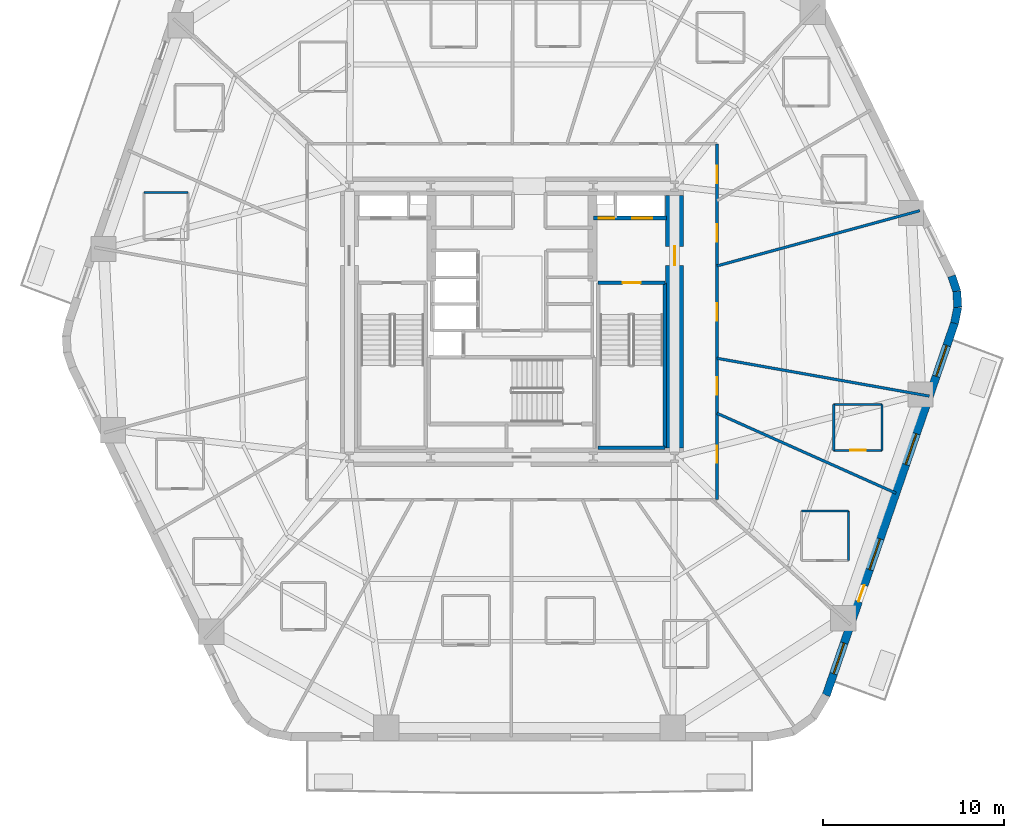
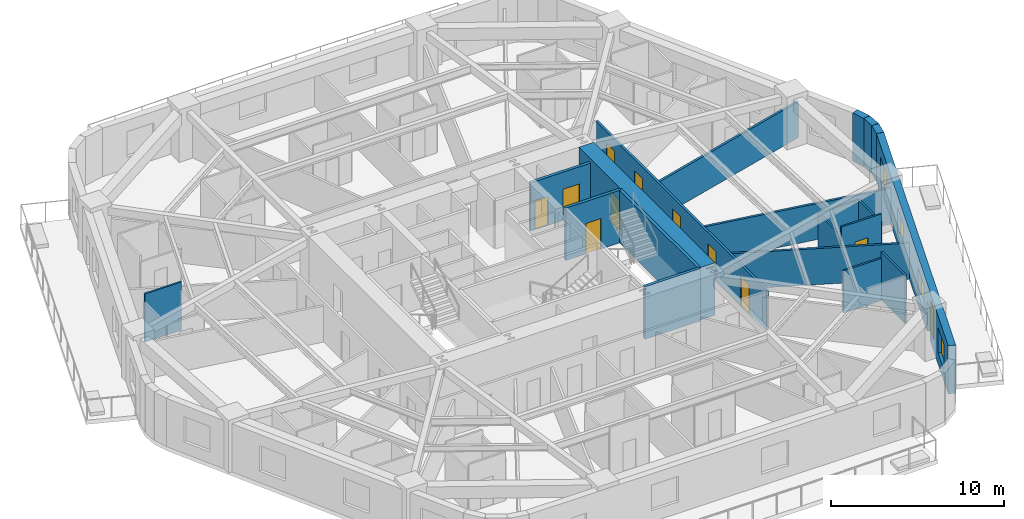
# One storey, part 5 of 11: 20 walls, 11 doors, 4 windows, 15 openings.
"""IFC4 building model written with IfcOpenShell, lengths in metres."""

from ifc_helpers import new_model, si_unit, direction, frame, frame_2d, origin, place, context, subcontext, project, spatial, rectangle, extrude, material, layer, layer_set, type_object, element, fill, save


model = new_model("IFC4")

# Units and contexts
model_context = context("Model", 3, precision=1e-05, world=origin(), true_north=direction((0.0, 1.0)))
body_context = subcontext(model_context, "Body", "Model", "MODEL_VIEW")
ifc_project = project(units=[si_unit("LENGTHUNIT", "METRE"), si_unit("AREAUNIT", "SQUARE_METRE"), si_unit("VOLUMEUNIT", "CUBIC_METRE"), si_unit("PLANEANGLEUNIT", "RADIAN"), si_unit("MASSUNIT", "GRAM", prefix="KILO")], contexts=[model_context])

# Site, building, storey
site_placement = place(None, origin())
site = spatial("IfcSite", under=ifc_project, at=site_placement, CompositionType="ELEMENT")
building_placement = place(site_placement, origin())
building = spatial("IfcBuilding", under=site, at=building_placement, Name="Kilnhurst Terrace Hotel", CompositionType="ELEMENT")
storey_placement = place(building_placement, frame((0.0, 0.0, 37.89990234375)))
storey = spatial("IfcBuildingStorey", under=building, at=storey_placement, Name="L07", CompositionType="ELEMENT", Elevation=37.89990234375)

# Walls
ifc_material_1 = material(Name="Precast concrete C40/50", Category="concrete")
ifc_layer_1 = layer(ifc_material_1, 0.449951171875, Name="Precast concrete C40/50")
ifc_layer_set_1 = layer_set([ifc_layer_1], Name="Precast concrete C40/50")
wall_type_1 = type_object("IfcWallType", Name="WL-BRK-450", PredefinedType="SOLIDWALL", material=ifc_layer_set_1)
wall_1_placement = place(storey_placement, frame((24.49560546875, -0.07666015625, 0.0), z_axis=(0.0, 0.0, 1.0), x_axis=(0.199570594521, 0.979883451132, 0.0)))
element("IfcWall", 1, at=wall_1_placement, inside=storey, type_object=wall_type_1, Name="L07 Rounded Corner Brick Wall C3.1", PredefinedType="SOLIDWALL", context=body_context, shape_type="SweptSolid", body=[
    extrude(rectangle(XDim=0.896728515625, YDim=0.449951171875, at=frame_2d((0.4482421875, 0.0))), origin(), (0.0, 0.0, 1.0), 3.400146484375),
])
wall_2_placement = place(storey_placement, frame((24.674560546875, 0.802001953125, 0.0), z_axis=(0.0, 0.0, 1.0), x_axis=(-0.061188874166, 0.998126205286, 0.0)))
element("IfcWall", 2, at=wall_2_placement, inside=storey, type_object=wall_type_1, Name="L07 Rounded Corner Brick Wall C3.2", PredefinedType="SOLIDWALL", context=body_context, shape_type="SweptSolid", body=[
    extrude(rectangle(XDim=0.8818359375, YDim=0.449951171875, at=frame_2d((0.44091796875, 0.0))), origin(), (0.0, 0.0, 1.0), 3.400146484375),
])
wall_3_placement = place(storey_placement, frame((24.62060546875, 1.68212890625, 0.0), z_axis=(0.0, 0.0, 1.0), x_axis=(-0.317697451681, 0.948192137278, 0.0)))
element("IfcWall", 3, at=wall_3_placement, inside=storey, type_object=wall_type_1, Name="L07 Rounded Corner Brick Wall C3.3", PredefinedType="SOLIDWALL", context=body_context, shape_type="SweptSolid", body=[
    extrude(rectangle(XDim=0.896728515625, YDim=0.449951171875, at=frame_2d((0.4482421875, 0.0))), origin(), (0.0, 0.0, 1.0), 3.400146484375),
])

# Wall, openings, door, windows
wall_4_placement = place(storey_placement, frame((17.3896484375, -20.678466796875, 0.0), z_axis=(0.0, 0.0, 1.0), x_axis=(0.326068018294, 0.945346310854, 0.0)))
wall_4 = element("IfcWall", 4, at=wall_4_placement, inside=storey, type_object=wall_type_1, Name="L07 Exterior Brick Facade Wall F2", PredefinedType="SOLIDWALL", context=body_context, shape_type="SweptSolid", body=[
    extrude(rectangle(XDim=21.79296875, YDim=0.449951171875, at=frame_2d((10.896484375, 0.0))), origin(), (0.0, 0.0, 1.0), 3.400146484375),
])
opening_1_placement = place(wall_4_placement, frame((5.492919921875, 0.0, 0.0)))
opening_1 = element("IfcOpeningElement", 5, at=opening_1_placement, cuts=wall_4, Name="Opening BD-950", PredefinedType="OPENING", context=body_context, shape_type="SweptSolid", body=[
    extrude(rectangle(XDim=0.949951171875, YDim=2.14990234375, at=frame_2d((0.47509765625, 1.074951171875))), frame((0.0, 0.23486328125, 0.0), z_axis=(0.0, -1.0, 0.0), x_axis=(1.0, 0.0, 0.0)), (0.0, 0.0, 1.0), 0.469970703125),
])
opening_2_placement = place(wall_4_placement, frame((1.260009765625, 0.0, 0.800048828125)))
opening_2 = element("IfcOpeningElement", 6, at=opening_2_placement, cuts=wall_4, Name="Opening W-01", PredefinedType="OPENING", context=body_context, shape_type="SweptSolid", body=[
    extrude(rectangle(XDim=1.800048828125, YDim=1.800048828125, at=frame_2d((0.89990234375, 0.89990234375))), frame((0.0, 0.23486328125, 0.0), z_axis=(0.0, -1.0, 0.0), x_axis=(1.0, 0.0, 0.0)), (0.0, 0.0, 1.0), 0.469970703125),
])
opening_3_placement = place(wall_4_placement, frame((7.363037109375, 0.0, 0.800048828125)))
opening_3 = element("IfcOpeningElement", 7, at=opening_3_placement, cuts=wall_4, Name="Opening W-01", PredefinedType="OPENING", context=body_context, shape_type="SweptSolid", body=[
    extrude(rectangle(XDim=1.800048828125, YDim=1.800048828125, at=frame_2d((0.89990234375, 0.89990234375))), frame((0.0, 0.23486328125, 0.0), z_axis=(0.0, -1.0, 0.0), x_axis=(1.0, 0.0, 0.0)), (0.0, 0.0, 1.0), 0.469970703125),
])
opening_4_placement = place(wall_4_placement, frame((13.51806640625, 0.0, 0.800048828125)))
opening_4 = element("IfcOpeningElement", 8, at=opening_4_placement, cuts=wall_4, Name="Opening W-01", PredefinedType="OPENING", context=body_context, shape_type="SweptSolid", body=[
    extrude(rectangle(XDim=1.800048828125, YDim=1.800048828125, at=frame_2d((0.89990234375, 0.89990234375))), frame((0.0, 0.23486328125, 0.0), z_axis=(0.0, -1.0, 0.0), x_axis=(1.0, 0.0, 0.0)), (0.0, 0.0, 1.0), 0.469970703125),
])
opening_5_placement = place(wall_4_placement, frame((18.679931640625, 0.0, 0.800048828125)))
opening_5 = element("IfcOpeningElement", 9, at=opening_5_placement, cuts=wall_4, Name="Opening W-01", PredefinedType="OPENING", context=body_context, shape_type="SweptSolid", body=[
    extrude(rectangle(XDim=1.800048828125, YDim=1.800048828125, at=frame_2d((0.89990234375, 0.89990234375))), frame((0.0, 0.23486328125, 0.0), z_axis=(0.0, -1.0, 0.0), x_axis=(1.0, 0.0, 0.0)), (0.0, 0.0, 1.0), 0.469970703125),
])
ifc_material_2 = material(Name="Thermally Broken Bronze Aluminium Alloy 6063-T6 and Laminated Glass", Category="aluminium")
door_type_1 = type_object("IfcDoorType", Name="DR-EXT-BAL-950", OperationType="NOTDEFINED", PredefinedType="DOOR", material=ifc_material_2)
door_1_placement = place(opening_1_placement, origin())
door_1 = element("IfcDoor", 10, at=door_1_placement, inside=storey, type_object=door_type_1, Name="L07 Planted Balcony Door BAL-L1B", OperationType="SINGLE_SWING_RIGHT", OverallHeight=2.14990234375, OverallWidth=0.949951171875, PredefinedType="DOOR", context=body_context, shape_type="SweptSolid", body=[
    extrude(rectangle(XDim=0.949951171875, YDim=2.14990234375, at=frame_2d((0.47509765625, 1.074951171875))), frame((0.0, 0.02490234375, 0.0), z_axis=(0.0, -1.0, 0.0), x_axis=(1.0, 0.0, 0.0)), (0.0, 0.0, 1.0), 0.050048828125),
])
fill(opening_1, door_1)
ifc_material_3 = material(Name="Thermally Broken Bronze Aluminium Alloy 6063-T6 and Low-E Glass", Category="aluminium")
window_type = type_object("IfcWindowType", Name="WIN-1800X1800", PartitioningType="SINGLE_PANEL", PredefinedType="WINDOW", material=ifc_material_3)
window_1_placement = place(opening_2_placement, origin())
window_1 = element("IfcWindow", 11, at=window_1_placement, inside=storey, type_object=window_type, Name="L07 Deep-Set Masonry Window F2.1", OverallHeight=1.800048828125, OverallWidth=1.800048828125, PartitioningType="SINGLE_PANEL", PredefinedType="WINDOW", context=body_context, shape_type="SweptSolid", body=[
    extrude(rectangle(XDim=1.800048828125, YDim=1.800048828125, at=frame_2d((0.89990234375, 0.89990234375))), frame((0.0, 0.030029296875, 0.0), z_axis=(0.0, -1.0, 0.0), x_axis=(1.0, 0.0, 0.0)), (0.0, 0.0, 1.0), 0.06005859375),
])
fill(opening_2, window_1)
window_2_placement = place(opening_3_placement, origin())
window_2 = element("IfcWindow", 12, at=window_2_placement, inside=storey, type_object=window_type, Name="L07 Deep-Set Masonry Window F2.2", OverallHeight=1.800048828125, OverallWidth=1.800048828125, PartitioningType="SINGLE_PANEL", PredefinedType="WINDOW", context=body_context, shape_type="SweptSolid", body=[
    extrude(rectangle(XDim=1.800048828125, YDim=1.800048828125, at=frame_2d((0.89990234375, 0.89990234375))), frame((0.0, 0.030029296875, 0.0), z_axis=(0.0, -1.0, 0.0), x_axis=(1.0, 0.0, 0.0)), (0.0, 0.0, 1.0), 0.06005859375),
])
fill(opening_3, window_2)
window_3_placement = place(opening_4_placement, origin())
window_3 = element("IfcWindow", 13, at=window_3_placement, inside=storey, type_object=window_type, Name="L07 Deep-Set Masonry Window F2.3", OverallHeight=1.800048828125, OverallWidth=1.800048828125, PartitioningType="SINGLE_PANEL", PredefinedType="WINDOW", context=body_context, shape_type="SweptSolid", body=[
    extrude(rectangle(XDim=1.800048828125, YDim=1.800048828125, at=frame_2d((0.89990234375, 0.89990234375))), frame((0.0, 0.030029296875, 0.0), z_axis=(0.0, -1.0, 0.0), x_axis=(1.0, 0.0, 0.0)), (0.0, 0.0, 1.0), 0.06005859375),
])
fill(opening_4, window_3)
window_4_placement = place(opening_5_placement, origin())
window_4 = element("IfcWindow", 14, at=window_4_placement, inside=storey, type_object=window_type, Name="L07 Deep-Set Masonry Window F2.4", OverallHeight=1.800048828125, OverallWidth=1.800048828125, PartitioningType="SINGLE_PANEL", PredefinedType="WINDOW", context=body_context, shape_type="SweptSolid", body=[
    extrude(rectangle(XDim=1.800048828125, YDim=1.800048828125, at=frame_2d((0.89990234375, 0.89990234375))), frame((0.0, 0.030029296875, 0.0), z_axis=(0.0, -1.0, 0.0), x_axis=(1.0, 0.0, 0.0)), (0.0, 0.0, 1.0), 0.06005859375),
])
fill(opening_5, window_4)

# Wall, openings, doors
ifc_material_4 = material(Name="Acoustic Double-Gypsum Corridor Partition Assembly")
ifc_layer_2 = layer(ifc_material_4, 0.14990234375, Name="Acoustic Double-Gypsum Corridor Partition Assembly")
ifc_layer_set_2 = layer_set([ifc_layer_2], Name="Acoustic Double-Gypsum Corridor Partition Assembly")
wall_type_2 = type_object("IfcWallType", Name="WL-COR-150", PredefinedType="PARTITIONING", material=ifc_layer_set_2)
wall_5_placement = place(storey_placement, frame((11.35009765625, 9.85009765625, 0.0), z_axis=(0.0, 0.0, 1.0), x_axis=(0.0, -1.0, 0.0)))
wall_5 = element("IfcWall", 15, at=wall_5_placement, inside=storey, type_object=wall_type_2, Name="L07 Interior Wall WL-L07-COR-03", PredefinedType="PARTITIONING", context=body_context, shape_type="SweptSolid", body=[
    extrude(rectangle(XDim=19.7001953125, YDim=0.14990234375, at=frame_2d((9.85009765625, 0.0))), origin(), (0.0, 0.0, 1.0), 2.840087890625),
])
opening_6_placement = place(wall_5_placement, frame((4.4609375, 0.0, 0.0)))
opening_6 = element("IfcOpeningElement", 16, at=opening_6_placement, cuts=wall_5, Name="Opening D-60B", PredefinedType="OPENING", context=body_context, shape_type="SweptSolid", body=[
    extrude(rectangle(XDim=0.949951171875, YDim=2.030029296875, at=frame_2d((0.47509765625, 1.01513671875))), frame((0.0, 0.0849609375, 0.0), z_axis=(0.0, -1.0, 0.0), x_axis=(1.0, 0.0, 0.0)), (0.0, 0.0, 1.0), 0.169921875),
])
opening_7_placement = place(wall_5_placement, frame((1.220947265625, 0.0, 0.0)))
opening_7 = element("IfcOpeningElement", 17, at=opening_7_placement, cuts=wall_5, Name="Opening D-60B", PredefinedType="OPENING", context=body_context, shape_type="SweptSolid", body=[
    extrude(rectangle(XDim=0.949951171875, YDim=2.030029296875, at=frame_2d((0.47509765625, 1.01513671875))), frame((0.0, 0.0849609375, 0.0), z_axis=(0.0, -1.0, 0.0), x_axis=(1.0, 0.0, 0.0)), (0.0, 0.0, 1.0), 0.169921875),
])
opening_8_placement = place(wall_5_placement, frame((16.714111328125, 0.0, 0.0)))
opening_8 = element("IfcOpeningElement", 18, at=opening_8_placement, cuts=wall_5, Name="Opening D-60B", PredefinedType="OPENING", context=body_context, shape_type="SweptSolid", body=[
    extrude(rectangle(XDim=0.949951171875, YDim=2.030029296875, at=frame_2d((0.47509765625, 1.01513671875))), frame((0.0, 0.0849609375, 0.0), z_axis=(0.0, -1.0, 0.0), x_axis=(1.0, 0.0, 0.0)), (0.0, 0.0, 1.0), 0.169921875),
])
opening_9_placement = place(wall_5_placement, frame((12.931884765625, 0.0, 0.0)))
opening_9 = element("IfcOpeningElement", 19, at=opening_9_placement, cuts=wall_5, Name="Opening D-60B", PredefinedType="OPENING", context=body_context, shape_type="SweptSolid", body=[
    extrude(rectangle(XDim=0.949951171875, YDim=2.030029296875, at=frame_2d((0.47509765625, 1.01513671875))), frame((0.0, 0.0849609375, 0.0), z_axis=(0.0, -1.0, 0.0), x_axis=(1.0, 0.0, 0.0)), (0.0, 0.0, 1.0), 0.169921875),
])
opening_10_placement = place(wall_5_placement, frame((8.837890625, 0.0, 0.0)))
opening_10 = element("IfcOpeningElement", 20, at=opening_10_placement, cuts=wall_5, Name="Opening D-60B", PredefinedType="OPENING", context=body_context, shape_type="SweptSolid", body=[
    extrude(rectangle(XDim=0.949951171875, YDim=2.030029296875, at=frame_2d((0.47509765625, 1.01513671875))), frame((0.0, 0.0849609375, 0.0), z_axis=(0.0, -1.0, 0.0), x_axis=(1.0, 0.0, 0.0)), (0.0, 0.0, 1.0), 0.169921875),
])
ifc_material_5 = material(Name="Acoustic Walnut Veneer Solid-Core Fire Door")
door_type_2 = type_object("IfcDoorType", Name="DR-FD60-950", OperationType="NOTDEFINED", PredefinedType="DOOR", material=ifc_material_5)
door_2_placement = place(opening_6_placement, origin())
door_2 = element("IfcDoor", 21, at=door_2_placement, inside=storey, type_object=door_type_2, Name="L07 Guest Room Entry Door 1", OperationType="SINGLE_SWING_LEFT", OverallHeight=2.030029296875, OverallWidth=0.949951171875, PredefinedType="DOOR", context=body_context, shape_type="SweptSolid", body=[
    extrude(rectangle(XDim=0.949951171875, YDim=2.030029296875, at=frame_2d((0.47509765625, 1.01513671875))), frame((0.0, 0.02490234375, 0.0), z_axis=(0.0, -1.0, 0.0), x_axis=(1.0, 0.0, 0.0)), (0.0, 0.0, 1.0), 0.050048828125),
])
fill(opening_6, door_2)
door_3_placement = place(opening_7_placement, origin())
door_3 = element("IfcDoor", 22, at=door_3_placement, inside=storey, type_object=door_type_2, Name="L07 Guest Room Entry Door 2", OperationType="SINGLE_SWING_RIGHT", OverallHeight=2.030029296875, OverallWidth=0.949951171875, PredefinedType="DOOR", context=body_context, shape_type="SweptSolid", body=[
    extrude(rectangle(XDim=0.949951171875, YDim=2.030029296875, at=frame_2d((0.47509765625, 1.01513671875))), frame((0.0, 0.02490234375, 0.0), z_axis=(0.0, -1.0, 0.0), x_axis=(1.0, 0.0, 0.0)), (0.0, 0.0, 1.0), 0.050048828125),
])
fill(opening_7, door_3)
door_4_placement = place(opening_8_placement, origin())
door_4 = element("IfcDoor", 23, at=door_4_placement, inside=storey, type_object=door_type_2, Name="L07 Guest Room Entry Door 19", OperationType="SINGLE_SWING_LEFT", OverallHeight=2.030029296875, OverallWidth=0.949951171875, PredefinedType="DOOR", context=body_context, shape_type="SweptSolid", body=[
    extrude(rectangle(XDim=0.949951171875, YDim=2.030029296875, at=frame_2d((0.47509765625, 1.01513671875))), frame((0.0, 0.02490234375, 0.0), z_axis=(0.0, -1.0, 0.0), x_axis=(1.0, 0.0, 0.0)), (0.0, 0.0, 1.0), 0.050048828125),
])
fill(opening_8, door_4)
door_5_placement = place(opening_9_placement, origin())
door_5 = element("IfcDoor", 24, at=door_5_placement, inside=storey, type_object=door_type_2, Name="L07 Guest Room Entry Door 20", OperationType="SINGLE_SWING_RIGHT", OverallHeight=2.030029296875, OverallWidth=0.949951171875, PredefinedType="DOOR", context=body_context, shape_type="SweptSolid", body=[
    extrude(rectangle(XDim=0.949951171875, YDim=2.030029296875, at=frame_2d((0.47509765625, 1.01513671875))), frame((0.0, 0.02490234375, 0.0), z_axis=(0.0, -1.0, 0.0), x_axis=(1.0, 0.0, 0.0)), (0.0, 0.0, 1.0), 0.050048828125),
])
fill(opening_9, door_5)
door_6_placement = place(opening_10_placement, origin())
door_6 = element("IfcDoor", 25, at=door_6_placement, inside=storey, type_object=door_type_2, Name="L07 Business Study Door", OperationType="SINGLE_SWING_LEFT", OverallHeight=2.030029296875, OverallWidth=0.949951171875, PredefinedType="DOOR", context=body_context, shape_type="SweptSolid", body=[
    extrude(rectangle(XDim=0.949951171875, YDim=2.030029296875, at=frame_2d((0.47509765625, 1.01513671875))), frame((0.0, 0.02490234375, 0.0), z_axis=(0.0, -1.0, 0.0), x_axis=(1.0, 0.0, 0.0)), (0.0, 0.0, 1.0), 0.050048828125),
])
fill(opening_10, door_6)

# Wall, opening, door
ifc_material_6 = material(Name="Concrete C80/95", Category="concrete")
ifc_layer_3 = layer(ifc_material_6, 1.0, Name="Concrete C80/95")
ifc_layer_set_3 = layer_set([ifc_layer_3], Name="Concrete C80/95")
wall_type_3 = type_object("IfcWallType", Name="WL-CORE-1000", PredefinedType="SHEAR", material=ifc_layer_set_3)
wall_6_placement = place(storey_placement, frame((9.0, -7.0, 0.0), z_axis=(0.0, 0.0, 1.0), x_axis=(0.0, 1.0, 0.0)))
wall_6 = element("IfcWall", 26, at=wall_6_placement, inside=storey, type_object=wall_type_3, Name="L07 Core East Shear Wall", PredefinedType="SHEAR", context=body_context, shape_type="SweptSolid", body=[
    extrude(rectangle(XDim=14.0, YDim=1.0, at=frame_2d((7.0, 0.0))), origin(), (0.0, 0.0, 1.0), 3.7001953125),
])
opening_11_placement = place(wall_6_placement, frame((10.125, 0.0, 0.0)))
opening_11 = element("IfcOpeningElement", 27, at=opening_11_placement, cuts=wall_6, Name="Opening D-90A", PredefinedType="OPENING", context=body_context, shape_type="SweptSolid", body=[
    extrude(rectangle(XDim=1.050048828125, YDim=2.14990234375, at=frame_2d((0.52490234375, 1.074951171875))), frame((0.0, 0.510009765625, 0.0), z_axis=(0.0, -1.0, 0.0), x_axis=(1.0, 0.0, 0.0)), (0.0, 0.0, 1.0), 1.02001953125),
])
ifc_material_7 = material(Name="Painted Hollow Metal Steel ASTM A36 Fire Door", Category="steel")
door_type_3 = type_object("IfcDoorType", Name="DR-FD90-1050", OperationType="NOTDEFINED", PredefinedType="DOOR", material=ifc_material_7)
door_7_placement = place(opening_11_placement, origin())
door_7 = element("IfcDoor", 28, at=door_7_placement, inside=storey, type_object=door_type_3, Name="L07 East Firefighting Lobby Door", OperationType="SINGLE_SWING_LEFT", OverallHeight=2.14990234375, OverallWidth=1.050048828125, PredefinedType="DOOR", context=body_context, shape_type="SweptSolid", body=[
    extrude(rectangle(XDim=1.050048828125, YDim=2.14990234375, at=frame_2d((0.52490234375, 1.074951171875))), frame((0.0, 0.02490234375, 0.0), z_axis=(0.0, -1.0, 0.0), x_axis=(1.0, 0.0, 0.0)), (0.0, 0.0, 1.0), 0.050048828125),
])
fill(opening_11, door_7)

# Walls
ifc_material_8 = material(Name="STC-58 Acoustic Twin-Frame Guestroom Demising Partition")
ifc_layer_4 = layer(ifc_material_8, 0.14990234375, Name="STC-58 Acoustic Twin-Frame Guestroom Demising Partition")
ifc_layer_set_4 = layer_set([ifc_layer_4], Name="STC-58 Acoustic Twin-Frame Guestroom Demising Partition")
wall_type_4 = type_object("IfcWallType", Name="WL-DEM-150", PredefinedType="PARTITIONING", material=ifc_layer_set_4)
wall_7_placement = place(storey_placement, frame((11.35009765625, 3.0908203125, 0.0), z_axis=(0.0, 0.0, 1.0), x_axis=(0.964859685283, 0.262765651704, 0.0)))
element("IfcWall", 29, at=wall_7_placement, inside=storey, type_object=wall_type_4, Name="L07 Interior Wall WL-L07-DEM-COL01-01-1", PredefinedType="PARTITIONING", context=body_context, shape_type="SweptSolid", body=[
    extrude(rectangle(XDim=11.62890625, YDim=0.14990234375, at=frame_2d((5.814453125, 0.0))), origin(), (0.0, 0.0, 1.0), 2.5400390625),
])
wall_8_placement = place(storey_placement, frame((11.35009765625, -5.068115234375, 0.0), z_axis=(0.0, 0.0, 1.0), x_axis=(0.913107192911, -0.407719577963, 0.0)))
element("IfcWall", 30, at=wall_8_placement, inside=storey, type_object=wall_type_4, Name="L07 Interior Wall WL-L07-DEM-MID11-20-1", PredefinedType="PARTITIONING", context=body_context, shape_type="SweptSolid", body=[
    extrude(rectangle(XDim=10.84130859375, YDim=0.14990234375, at=frame_2d((5.420654296875, 0.0))), origin(), (0.0, 0.0, 1.0), 2.5400390625),
])
wall_9_placement = place(storey_placement, frame((11.35009765625, -2.022705078125, 0.0), z_axis=(0.0, 0.0, 1.0), x_axis=(0.984493741877, -0.17541970301, 0.0)))
element("IfcWall", 31, at=wall_9_placement, inside=storey, type_object=wall_type_4, Name="L07 Interior Wall WL-L07-DEM-COL12-21-1", PredefinedType="PARTITIONING", context=body_context, shape_type="SweptSolid", body=[
    extrude(rectangle(XDim=11.93701171875, YDim=0.14990234375, at=frame_2d((5.968505859375, 0.0))), origin(), (0.0, 0.0, 1.0), 2.5400390625),
])
ifc_material_9 = material(Name="120 mm Moisture-Resistant Tile-Backed Bathroom Partition")
ifc_layer_5 = layer(ifc_material_9, 0.1201171875, Name="120 mm Moisture-Resistant Tile-Backed Bathroom Partition")
ifc_layer_set_5 = layer_set([ifc_layer_5], Name="120 mm Moisture-Resistant Tile-Backed Bathroom Partition")
wall_type_5 = type_object("IfcWallType", Name="WL-PART-120", PredefinedType="PARTITIONING", material=ifc_layer_set_5)
wall_10_placement = place(storey_placement, frame((-17.928955078125, 7.154052734375, 0.0), z_axis=(0.0, 0.0, 1.0), x_axis=(-1.0, 0.0, 0.0)))
element("IfcWall", 32, at=wall_10_placement, inside=storey, type_object=wall_type_5, Name="L07 Interior Wall WL-L07-BTH-09-3", PredefinedType="PARTITIONING", context=body_context, shape_type="SweptSolid", body=[
    extrude(rectangle(XDim=2.43994140625, YDim=0.1201171875, at=frame_2d((1.219970703125, 0.0))), origin(), (0.0, 0.0, 1.0), 3.400146484375),
])
wall_11_placement = place(storey_placement, frame((18.618896484375, -13.218994140625, 0.0), z_axis=(0.0, 0.0, 1.0), x_axis=(0.0, 1.0, 0.0)))
element("IfcWall", 33, at=wall_11_placement, inside=storey, type_object=wall_type_5, Name="L07 Interior Wall WL-L07-BTH-19-2", PredefinedType="PARTITIONING", context=body_context, shape_type="SweptSolid", body=[
    extrude(rectangle(XDim=2.75, YDim=0.1201171875, at=frame_2d((1.375, 0.0))), origin(), (0.0, 0.0, 1.0), 3.400146484375),
])
wall_12_placement = place(storey_placement, frame((18.618896484375, -10.468994140625, 0.0), z_axis=(0.0, 0.0, 1.0), x_axis=(-1.0, 0.0, 0.0)))
element("IfcWall", 34, at=wall_12_placement, inside=storey, type_object=wall_type_5, Name="L07 Interior Wall WL-L07-BTH-19-3", PredefinedType="PARTITIONING", context=body_context, shape_type="SweptSolid", body=[
    extrude(rectangle(XDim=2.599853515625, YDim=0.1201171875, at=frame_2d((1.2998046875, 0.0))), origin(), (0.0, 0.0, 1.0), 2.972412109375),
])

# Wall, opening, door
wall_13_placement = place(storey_placement, frame((17.80908203125, -7.118896484375, 0.0), z_axis=(0.0, 0.0, 1.0), x_axis=(1.0, 0.0, 0.0)))
wall_13 = element("IfcWall", 35, at=wall_13_placement, inside=storey, type_object=wall_type_5, Name="L07 Interior Wall WL-L07-BTH-20-1", PredefinedType="PARTITIONING", context=body_context, shape_type="SweptSolid", body=[
    extrude(rectangle(XDim=2.679931640625, YDim=0.1201171875, at=frame_2d((1.33984375, 0.0))), origin(), (0.0, 0.0, 1.0), 3.400146484375),
])
opening_12_placement = place(wall_13_placement, frame((0.9150390625, 0.0, 0.0)))
opening_12 = element("IfcOpeningElement", 36, at=opening_12_placement, cuts=wall_13, Name="Opening D-08A", PredefinedType="OPENING", context=body_context, shape_type="SweptSolid", body=[
    extrude(rectangle(XDim=0.85009765625, YDim=2.030029296875, at=frame_2d((0.425048828125, 1.01513671875))), frame((0.0, 0.070068359375, 0.0), z_axis=(0.0, -1.0, 0.0), x_axis=(1.0, 0.0, 0.0)), (0.0, 0.0, 1.0), 0.14013671875),
])
ifc_material_10 = material(Name="Moisture-Resistant Lacquered En-suite Bathroom Door")
door_type_4 = type_object("IfcDoorType", Name="DR-INT-850", OperationType="NOTDEFINED", PredefinedType="DOOR", material=ifc_material_10)
door_8_placement = place(opening_12_placement, origin())
door_8 = element("IfcDoor", 37, at=door_8_placement, inside=storey, type_object=door_type_4, Name="L07 En-suite Bathroom Door 20", OperationType="SINGLE_SWING_LEFT", OverallHeight=2.030029296875, OverallWidth=0.85009765625, PredefinedType="DOOR", context=body_context, shape_type="SweptSolid", body=[
    extrude(rectangle(XDim=0.85009765625, YDim=2.030029296875, at=frame_2d((0.425048828125, 1.01513671875))), frame((0.0, 0.02490234375, 0.0), z_axis=(0.0, -1.0, 0.0), x_axis=(1.0, 0.0, 0.0)), (0.0, 0.0, 1.0), 0.050048828125),
])
fill(opening_12, door_8)

# Walls
wall_14_placement = place(storey_placement, frame((20.489013671875, -7.118896484375, 0.0), z_axis=(0.0, 0.0, 1.0), x_axis=(0.0, 1.0, 0.0)))
element("IfcWall", 38, at=wall_14_placement, inside=storey, type_object=wall_type_5, Name="L07 Interior Wall WL-L07-BTH-20-2", PredefinedType="PARTITIONING", context=body_context, shape_type="SweptSolid", body=[
    extrude(rectangle(XDim=2.539794921875, YDim=0.1201171875, at=frame_2d((1.27001953125, 0.0))), origin(), (0.0, 0.0, 1.0), 2.840087890625),
])
wall_15_placement = place(storey_placement, frame((20.489013671875, -4.5791015625, 0.0), z_axis=(0.0, 0.0, 1.0), x_axis=(-1.0, 0.0, 0.0)))
element("IfcWall", 39, at=wall_15_placement, inside=storey, type_object=wall_type_5, Name="L07 Interior Wall WL-L07-BTH-20-3", PredefinedType="PARTITIONING", context=body_context, shape_type="SweptSolid", body=[
    extrude(rectangle(XDim=2.679931640625, YDim=0.1201171875, at=frame_2d((1.33984375, 0.0))), origin(), (0.0, 0.0, 1.0), 2.840087890625),
])
wall_16_placement = place(storey_placement, frame((17.80908203125, -4.5791015625, 0.0), z_axis=(0.0, 0.0, 1.0), x_axis=(0.0, -1.0, 0.0)))
element("IfcWall", 40, at=wall_16_placement, inside=storey, type_object=wall_type_5, Name="L07 Interior Wall WL-L07-BTH-20-4", PredefinedType="PARTITIONING", context=body_context, shape_type="SweptSolid", body=[
    extrude(rectangle(XDim=2.539794921875, YDim=0.1201171875, at=frame_2d((1.27001953125, 0.0))), origin(), (0.0, 0.0, 1.0), 2.840087890625),
])

# Wall, openings, doors
ifc_material_11 = material(Name="Autoclaved Aerated Concrete C30/37 and Gypsum Shaft Assembly", Category="concrete")
ifc_layer_6 = layer(ifc_material_11, 0.199951171875, Name="Autoclaved Aerated Concrete C30/37 and Gypsum Shaft Assembly")
ifc_layer_set_6 = layer_set([ifc_layer_6], Name="Autoclaved Aerated Concrete C30/37 and Gypsum Shaft Assembly")
wall_type_6 = type_object("IfcWallType", Name="WL-SHAFT-200", PredefinedType="PARTITIONING", material=ifc_layer_set_6)
wall_17_placement = place(storey_placement, frame((4.5, 5.739990234375, 0.0), z_axis=(0.0, 0.0, 1.0), x_axis=(1.0, 0.0, 0.0)))
wall_17 = element("IfcWall", 41, at=wall_17_placement, inside=storey, type_object=wall_type_6, Name="L07 Interior Wall WL-L07-FSAE2-S", PredefinedType="PARTITIONING", context=body_context, shape_type="SweptSolid", body=[
    extrude(rectangle(XDim=4.050048828125, YDim=0.199951171875, at=frame_2d((2.02490234375, 0.0))), origin(), (0.0, 0.0, 1.0), 3.400146484375),
])
opening_13_placement = place(wall_17_placement, frame((0.300048828125, 0.0, 0.0)))
opening_13 = element("IfcOpeningElement", 42, at=opening_13_placement, cuts=wall_17, Name="Opening D-60D", PredefinedType="OPENING", context=body_context, shape_type="SweptSolid", body=[
    extrude(rectangle(XDim=0.85009765625, YDim=2.030029296875, at=frame_2d((0.425048828125, 1.01513671875))), frame((0.0, 0.10986328125, 0.0), z_axis=(0.0, -1.0, 0.0), x_axis=(1.0, 0.0, 0.0)), (0.0, 0.0, 1.0), 0.219970703125),
])
opening_14_placement = place(wall_17_placement, frame((2.14990234375, 0.0, 0.0)))
opening_14 = element("IfcOpeningElement", 43, at=opening_14_placement, cuts=wall_17, Name="Opening LD-F2", PredefinedType="OPENING", context=body_context, shape_type="SweptSolid", body=[
    extrude(rectangle(XDim=1.10009765625, YDim=2.199951171875, at=frame_2d((0.550048828125, 1.10009765625))), frame((0.0, 0.10986328125, 0.0), z_axis=(0.0, -1.0, 0.0), x_axis=(1.0, 0.0, 0.0)), (0.0, 0.0, 1.0), 0.219970703125),
])
ifc_material_12 = material(Name="Painted Hollow Metal Steel ASTM A36 Riser Door", Category="steel")
door_type_5 = type_object("IfcDoorType", Name="DR-FD60-850", OperationType="NOTDEFINED", PredefinedType="DOOR", material=ifc_material_12)
door_9_placement = place(opening_13_placement, origin())
door_9 = element("IfcDoor", 44, at=door_9_placement, inside=storey, type_object=door_type_5, Name="L07 Telecom Riser Door", OperationType="SINGLE_SWING_RIGHT", OverallHeight=2.030029296875, OverallWidth=0.85009765625, PredefinedType="DOOR", context=body_context, shape_type="SweptSolid", body=[
    extrude(rectangle(XDim=0.85009765625, YDim=2.030029296875, at=frame_2d((0.425048828125, 1.01513671875))), frame((0.0, 0.02490234375, 0.0), z_axis=(0.0, -1.0, 0.0), x_axis=(1.0, 0.0, 0.0)), (0.0, 0.0, 1.0), 0.050048828125),
])
fill(opening_13, door_9)
ifc_material_13 = material(Name="Bronze-Anodized Stainless Steel AISI 316L Sliding Door", Category="steel")
door_type_6 = type_object("IfcDoorType", Name="DR-LIFT-1100", OperationType="NOTDEFINED", PredefinedType="DOOR", material=ifc_material_13)
door_10_placement = place(opening_14_placement, origin())
door_10 = element("IfcDoor", 45, at=door_10_placement, inside=storey, type_object=door_type_6, Name="L07 FSAE-2 Landing Door", OperationType="SLIDING_TO_RIGHT", OverallHeight=2.199951171875, OverallWidth=1.10009765625, PredefinedType="DOOR", context=body_context, shape_type="SweptSolid", body=[
    extrude(rectangle(XDim=1.10009765625, YDim=2.199951171875, at=frame_2d((0.550048828125, 1.10009765625))), frame((0.0, 0.02490234375, 0.0), z_axis=(0.0, -1.0, 0.0), x_axis=(1.0, 0.0, 0.0)), (0.0, 0.0, 1.0), 0.050048828125),
])
fill(opening_14, door_10)

# Walls
ifc_material_14 = material(Name="Concrete C50/60", Category="concrete")
ifc_layer_7 = layer(ifc_material_14, 0.199951171875, Name="Concrete C50/60")
ifc_layer_set_7 = layer_set([ifc_layer_7], Name="Concrete C50/60")
wall_type_7 = type_object("IfcWallType", Name="WL-STAIR-RC-200", PredefinedType="SHEAR", material=ifc_layer_set_7)
wall_18_placement = place(storey_placement, frame((8.4580078125, -6.985107421875, 0.0), z_axis=(0.0, 0.0, 1.0), x_axis=(0.0, 1.0, 0.0)))
element("IfcWall", 46, at=wall_18_placement, inside=storey, type_object=wall_type_7, Name="L07 Structural Stair Shaft Wall WL-L07-ST2-E", PredefinedType="SHEAR", context=body_context, shape_type="SweptSolid", body=[
    extrude(rectangle(XDim=9.14306640625, YDim=0.199951171875, at=frame_2d((4.571533203125, 0.0))), origin(), (0.0, 0.0, 1.0), 3.7001953125),
])
wall_19_placement = place(storey_placement, frame((4.77197265625, -6.985107421875, 0.0), z_axis=(0.0, 0.0, 1.0), x_axis=(1.0, 0.0, 0.0)))
element("IfcWall", 47, at=wall_19_placement, inside=storey, type_object=wall_type_7, Name="L07 Structural Stair Shaft Wall WL-L07-ST2-S", PredefinedType="SHEAR", context=body_context, shape_type="SweptSolid", body=[
    extrude(rectangle(XDim=3.68603515625, YDim=0.199951171875, at=frame_2d((1.843017578125, 0.0))), origin(), (0.0, 0.0, 1.0), 3.7001953125),
])

# Wall, opening, door
wall_20_placement = place(storey_placement, frame((4.77197265625, 2.157958984375, 0.0), z_axis=(0.0, 0.0, 1.0), x_axis=(1.0, 0.0, 0.0)))
wall_20 = element("IfcWall", 48, at=wall_20_placement, inside=storey, type_object=wall_type_7, Name="L07 Structural Stair Shaft Wall WL-L07-ST2-N", PredefinedType="SHEAR", context=body_context, shape_type="SweptSolid", body=[
    extrude(rectangle(XDim=3.68603515625, YDim=0.199951171875, at=frame_2d((1.843017578125, 0.0))), origin(), (0.0, 0.0, 1.0), 3.7001953125),
])
opening_15_placement = place(wall_20_placement, frame((1.35009765625, 0.0, 0.0)))
opening_15 = element("IfcOpeningElement", 49, at=opening_15_placement, cuts=wall_20, Name="Opening D-90B", PredefinedType="OPENING", context=body_context, shape_type="SweptSolid", body=[
    extrude(rectangle(XDim=1.0, YDim=2.14990234375, at=frame_2d((0.5, 1.074951171875))), frame((0.0, 0.10986328125, 0.0), z_axis=(0.0, -1.0, 0.0), x_axis=(1.0, 0.0, 0.0)), (0.0, 0.0, 1.0), 0.219970703125),
])
door_type_7 = type_object("IfcDoorType", Name="DR-FD90-1000", OperationType="NOTDEFINED", PredefinedType="DOOR", material=ifc_material_7)
door_11_placement = place(opening_15_placement, origin())
door_11 = element("IfcDoor", 50, at=door_11_placement, inside=storey, type_object=door_type_7, Name="L07 Stair ST-2 Door", OperationType="SINGLE_SWING_RIGHT", OverallHeight=2.14990234375, OverallWidth=1.0, PredefinedType="DOOR", context=body_context, shape_type="SweptSolid", body=[
    extrude(rectangle(XDim=1.0, YDim=2.14990234375, at=frame_2d((0.5, 1.074951171875))), frame((0.0, 0.02490234375, 0.0), z_axis=(0.0, -1.0, 0.0), x_axis=(1.0, 0.0, 0.0)), (0.0, 0.0, 1.0), 0.050048828125),
])
fill(opening_15, door_11)

save(model, "model.ifc")
